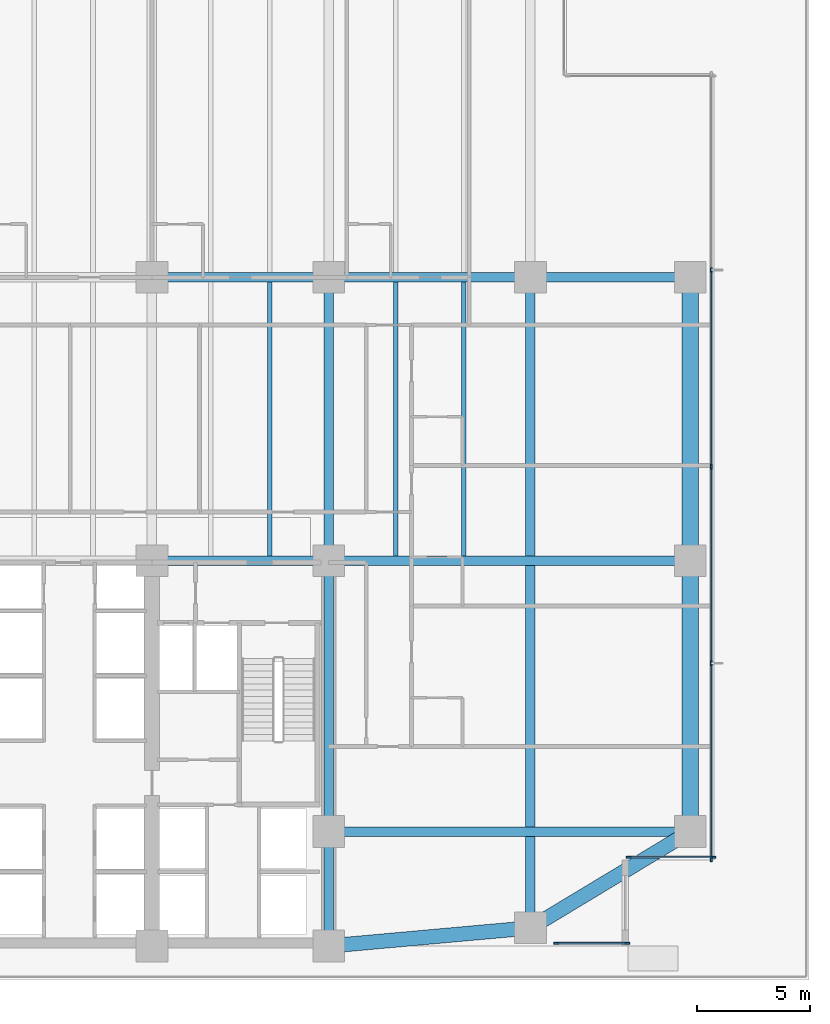
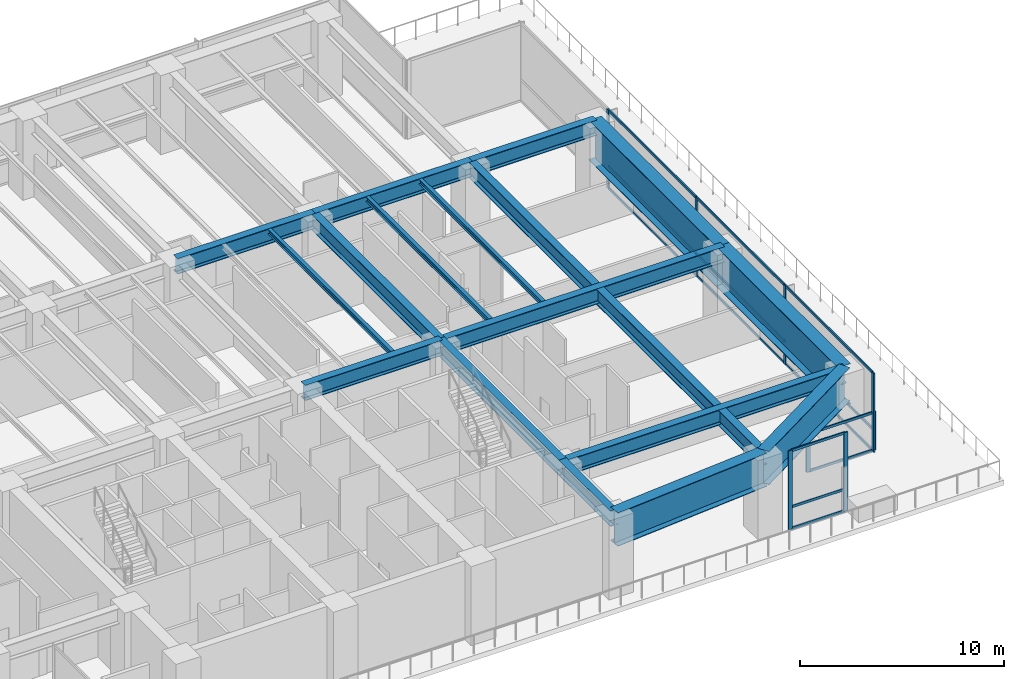
# One storey, part 3 of 19: 22 members, 17 beams, 3 elements without a shape of their own.
"""IFC4 building model written with IfcOpenShell, lengths in metres."""

from ifc_helpers import new_model, si_unit, direction, frame, origin, origin_2d, place, context, subcontext, project, spatial, rectangle, i_section, extrude, material, layer, layer_set, material_profile, profile_set, type_object, element, aggregate, save


model = new_model("IFC4")

# Units and contexts
model_context = context("Model", 3, precision=1e-05, world=origin(), true_north=direction((0.0, 1.0)))
body_context = subcontext(model_context, "Body", "Model", "MODEL_VIEW")
ifc_project = project(units=[si_unit("LENGTHUNIT", "METRE"), si_unit("AREAUNIT", "SQUARE_METRE"), si_unit("VOLUMEUNIT", "CUBIC_METRE"), si_unit("PLANEANGLEUNIT", "RADIAN"), si_unit("MASSUNIT", "GRAM", prefix="KILO")], contexts=[model_context])

# Site, building, storey
site_placement = place(None, origin())
site = spatial("IfcSite", under=ifc_project, at=site_placement, CompositionType="ELEMENT")
building_placement = place(site_placement, origin())
building = spatial("IfcBuilding", under=site, at=building_placement, Name="Qalmaran Belvedere Hotel", CompositionType="ELEMENT")
storey_placement = place(building_placement, frame((0.0, 0.0, 28.39990234375)))
storey = spatial("IfcBuildingStorey", under=building, at=storey_placement, Name="L06", CompositionType="ELEMENT", Elevation=28.39990234375)

# Beams
ifc_material_1 = material(Name="Steel S355JR", Category="steel")
ifc_material_profile_1 = material_profile(ifc_material_1, i_section(OverallWidth=0.202880859375, OverallDepth=0.302978515625, WebThickness=0.007568359375, FlangeThickness=0.01318359375, FilletRadius=0.012939453125, at=origin_2d()), Name="W310X60")
ifc_profile_set_1 = profile_set([ifc_material_profile_1], Name="Steel S355JR")
beam_type_1 = type_object("IfcBeamType", Name="BM-JST-W310X60", PredefinedType="JOIST", material=ifc_profile_set_1)
for number, where, z_axis, x_axis, name in (
    (1, (42.199951171875, 20.7080078125, 4.568603515625), (0.0, 1.0, 0.0), (-1.0, 0.0, 0.0), "L06 Deck Joist A06"),
    (2, (47.75, 20.7080078125, 4.568603515625), (0.0, 1.0, 0.0), (-1.0, 0.0, 0.0), "L06 Deck Joist A07"),
    (3, (50.75, 20.7080078125, 4.568603515625), (0.0, 1.0, 0.0), (-1.0, 0.0, 0.0), "L06 Deck Joist A08"),
):
    element("IfcBeam", number, at=place(storey_placement, frame(where, z_axis=z_axis, x_axis=x_axis)), inside=storey, type_object=beam_type_1, Name=name, PredefinedType="JOIST", context=body_context, shape_type="SweptSolid", body=[
        extrude(i_section(OverallWidth=0.202880859375, OverallDepth=0.302978515625, WebThickness=0.007568359375, FlangeThickness=0.01318359375, FilletRadius=0.012939453125, at=origin_2d()), origin(), (0.0, 0.0, 1.0), 12.083984375),
    ])
ifc_material_profile_2 = material_profile(ifc_material_1, i_section(OverallWidth=0.419921875, OverallDepth=0.9208984375, WebThickness=0.021240234375, FlangeThickness=0.03662109375, FilletRadius=0.02392578125, at=origin_2d()), Name="W920X387")
ifc_profile_set_2 = profile_set([ifc_material_profile_2], Name="Steel S355JR")
beam_type_2 = type_object("IfcBeamType", Name="BM-PG1-W920X387", PredefinedType="USERDEFINED", material=ifc_profile_set_2)
for number, where, z_axis, x_axis, name in (
    (4, (37.0, 20.5, 4.259521484375), (1.0, 0.0, 0.0), (0.0, 1.0, 0.0), "L06 Primary Tie Girder G03"),
    (5, (37.0, 33.0, 4.259521484375), (1.0, 0.0, 0.0), (0.0, 1.0, 0.0), "L06 Primary Tie Girder G06"),
):
    element("IfcBeam", number, at=place(storey_placement, frame(where, z_axis=z_axis, x_axis=x_axis)), inside=storey, type_object=beam_type_2, Name=name, ObjectType="GIRDER", PredefinedType="USERDEFINED", context=body_context, shape_type="SweptSolid", body=[
        extrude(i_section(OverallWidth=0.419921875, OverallDepth=0.9208984375, WebThickness=0.021240234375, FlangeThickness=0.03662109375, FilletRadius=0.02392578125, at=origin_2d()), origin(), (0.0, 0.0, 1.0), 7.800048828125),
    ])
beam_1_placement = place(storey_placement, frame((44.800048828125, 20.5, 4.259521484375), z_axis=(0.0, 1.0, 0.0), x_axis=(-1.0, 0.0, 0.0)))
element("IfcBeam", 6, at=beam_1_placement, inside=storey, type_object=beam_type_2, Name="L06 Primary Tie Girder G10", ObjectType="GIRDER", PredefinedType="USERDEFINED", context=body_context, shape_type="SweptSolid", body=[
    extrude(i_section(OverallWidth=0.419921875, OverallDepth=0.9208984375, WebThickness=0.021240234375, FlangeThickness=0.03662109375, FilletRadius=0.02392578125, at=origin_2d()), origin(), (0.0, 0.0, 1.0), 12.5),
])
beam_2_placement = place(storey_placement, frame((44.800048828125, 33.0, 4.259521484375), z_axis=(1.0, 0.0, 0.0), x_axis=(0.0, 1.0, 0.0)))
element("IfcBeam", 7, at=beam_2_placement, inside=storey, type_object=beam_type_2, Name="L06 Primary Tie Girder G13B", ObjectType="GIRDER", PredefinedType="USERDEFINED", context=body_context, shape_type="SweptSolid", body=[
    extrude(i_section(OverallWidth=0.419921875, OverallDepth=0.9208984375, WebThickness=0.021240234375, FlangeThickness=0.03662109375, FilletRadius=0.02392578125, at=origin_2d()), origin(), (0.0, 0.0, 1.0), 8.89990234375),
])
beam_3_placement = place(storey_placement, frame((53.699951171875, 4.300048828125, 4.259521484375), z_axis=(0.0, 1.0, 0.0), x_axis=(-1.0, 0.0, 0.0)))
element("IfcBeam", 8, at=beam_3_placement, inside=storey, type_object=beam_type_2, Name="L06 Primary Tie Girder G13C", ObjectType="GIRDER", PredefinedType="USERDEFINED", context=body_context, shape_type="SweptSolid", body=[
    extrude(i_section(OverallWidth=0.419921875, OverallDepth=0.9208984375, WebThickness=0.021240234375, FlangeThickness=0.03662109375, FilletRadius=0.02392578125, at=origin_2d()), origin(), (0.0, 0.0, 1.0), 28.699951171875),
])
beam_4_placement = place(storey_placement, frame((53.699951171875, 33.0, 4.259521484375), z_axis=(1.0, 0.0, 0.0), x_axis=(0.0, 1.0, 0.0)))
element("IfcBeam", 9, at=beam_4_placement, inside=storey, type_object=beam_type_2, Name="L06 Primary Tie Girder G13D", ObjectType="GIRDER", PredefinedType="USERDEFINED", context=body_context, shape_type="SweptSolid", body=[
    extrude(i_section(OverallWidth=0.419921875, OverallDepth=0.9208984375, WebThickness=0.021240234375, FlangeThickness=0.03662109375, FilletRadius=0.02392578125, at=origin_2d()), origin(), (0.0, 0.0, 1.0), 7.050048828125),
])
for number, where, z_axis, x_axis, name in (
    (10, (44.800048828125, 8.550048828125, 4.259521484375), (1.0, 0.0, 0.0), (0.0, 1.0, 0.0), "L06 Primary Tie Girder G16B"),
    (11, (44.800048828125, 20.5, 4.259521484375), (1.0, 0.0, 0.0), (0.0, 1.0, 0.0), "L06 Primary Tie Girder G17"),
):
    element("IfcBeam", number, at=place(storey_placement, frame(where, z_axis=z_axis, x_axis=x_axis)), inside=storey, type_object=beam_type_2, Name=name, ObjectType="GIRDER", PredefinedType="USERDEFINED", context=body_context, shape_type="SweptSolid", body=[
        extrude(i_section(OverallWidth=0.419921875, OverallDepth=0.9208984375, WebThickness=0.021240234375, FlangeThickness=0.03662109375, FilletRadius=0.02392578125, at=origin_2d()), origin(), (0.0, 0.0, 1.0), 15.949951171875),
    ])
beam_5_placement = place(storey_placement, frame((44.800048828125, 3.5, 4.259521484375), z_axis=(0.0, 1.0, 0.0), x_axis=(-1.0, 0.0, 0.0)))
element("IfcBeam", 12, at=beam_5_placement, inside=storey, type_object=beam_type_2, Name="L06 Primary Tie Girder G21", ObjectType="GIRDER", PredefinedType="USERDEFINED", context=body_context, shape_type="SweptSolid", body=[
    extrude(i_section(OverallWidth=0.419921875, OverallDepth=0.9208984375, WebThickness=0.021240234375, FlangeThickness=0.03662109375, FilletRadius=0.02392578125, at=origin_2d()), origin(), (0.0, 0.0, 1.0), 5.050048828125),
])
beam_6_placement = place(storey_placement, frame((44.800048828125, 8.550048828125, 4.259521484375), z_axis=(0.0, 1.0, 0.0), x_axis=(-1.0, 0.0, 0.0)))
element("IfcBeam", 13, at=beam_6_placement, inside=storey, type_object=beam_type_2, Name="L06 Primary Tie Girder G22", ObjectType="GIRDER", PredefinedType="USERDEFINED", context=body_context, shape_type="SweptSolid", body=[
    extrude(i_section(OverallWidth=0.419921875, OverallDepth=0.9208984375, WebThickness=0.021240234375, FlangeThickness=0.03662109375, FilletRadius=0.02392578125, at=origin_2d()), origin(), (0.0, 0.0, 1.0), 11.949951171875),
])
ifc_material_profile_3 = material_profile(ifc_material_1, i_section(OverallWidth=0.719970703125, OverallDepth=2.39990234375, WebThickness=0.030029296875, FlangeThickness=0.0380859375, at=origin_2d()), Name="PG2400X720X38")
ifc_profile_set_3 = profile_set([ifc_material_profile_3], Name="Steel S355JR")
beam_type_3 = type_object("IfcBeamType", Name="BM-TG2-PG2400X720", PredefinedType="USERDEFINED", material=ifc_profile_set_3)
beam_7_placement = place(storey_placement, frame((60.75, 8.550048828125, 3.52001953125), z_axis=(0.0, 1.0, 0.0), x_axis=(-1.0, 0.0, 0.0)))
element("IfcBeam", 14, at=beam_7_placement, inside=storey, type_object=beam_type_3, Name="L06 East Transfer Girder TG-2A", ObjectType="GIRDER", PredefinedType="USERDEFINED", context=body_context, shape_type="SweptSolid", body=[
    extrude(i_section(OverallWidth=0.719970703125, OverallDepth=2.39990234375, WebThickness=0.030029296875, FlangeThickness=0.0380859375, at=origin_2d()), origin(), (0.0, 0.0, 1.0), 11.949951171875),
])
beam_8_placement = place(storey_placement, frame((60.75, 20.5, 3.52001953125), z_axis=(0.0, 1.0, 0.0), x_axis=(-1.0, 0.0, 0.0)))
element("IfcBeam", 15, at=beam_8_placement, inside=storey, type_object=beam_type_3, Name="L06 East Transfer Girder TG-2B", ObjectType="GIRDER", PredefinedType="USERDEFINED", context=body_context, shape_type="SweptSolid", body=[
    extrude(i_section(OverallWidth=0.719970703125, OverallDepth=2.39990234375, WebThickness=0.030029296875, FlangeThickness=0.0380859375, at=origin_2d()), origin(), (0.0, 0.0, 1.0), 12.5),
])
ifc_material_profile_4 = material_profile(ifc_material_1, i_section(OverallWidth=0.639892578125, OverallDepth=2.0, WebThickness=0.02587890625, FlangeThickness=0.034912109375, at=origin_2d()), Name="PG2000X640X35")
ifc_profile_set_4 = profile_set([ifc_material_profile_4], Name="Steel S355JR")
beam_type_4 = type_object("IfcBeamType", Name="BM-TG4-PG2000X640", PredefinedType="USERDEFINED", material=ifc_profile_set_4)
beam_9_placement = place(storey_placement, frame((44.800048828125, 3.5, 3.72021484375), z_axis=(0.99598384863, 0.089533084763, 0.0), x_axis=(-0.089533084763, 0.99598384863, 0.0)))
element("IfcBeam", 16, at=beam_9_placement, inside=storey, type_object=beam_type_4, Name="L06 South-East Transfer Girder TG-4A", ObjectType="GIRDER", PredefinedType="USERDEFINED", context=body_context, shape_type="SweptSolid", body=[
    extrude(i_section(OverallWidth=0.639892578125, OverallDepth=2.0, WebThickness=0.02587890625, FlangeThickness=0.034912109375, at=origin_2d()), origin(), (0.0, 0.0, 1.0), 8.935791015625),
])
beam_10_placement = place(storey_placement, frame((53.699951171875, 4.300048828125, 3.72021484375), z_axis=(0.856420782025, 0.516278455986, 0.0), x_axis=(-0.516278455986, 0.856420782025, 0.0)))
element("IfcBeam", 17, at=beam_10_placement, inside=storey, type_object=beam_type_4, Name="L06 South-East Transfer Girder TG-4B", ObjectType="GIRDER", PredefinedType="USERDEFINED", context=body_context, shape_type="SweptSolid", body=[
    extrude(i_section(OverallWidth=0.639892578125, OverallDepth=2.0, WebThickness=0.02587890625, FlangeThickness=0.034912109375, at=origin_2d()), origin(), (0.0, 0.0, 1.0), 8.23193359375),
])

# Curtain wall, members
ifc_material_2 = material(Name="Anodised Bronze Aluminium", Category="aluminium")
ifc_layer = layer(ifc_material_2, 0.2099609375, Name="Anodised Bronze Aluminium")
ifc_layer_set = layer_set([ifc_layer], Name="Anodised Bronze Aluminium")
curtain_wall_type = type_object("IfcCurtainWallType", Name="CW2-TOWER-LOWER", PredefinedType="NOTDEFINED", material=ifc_layer_set)
curtain_wall_1_placement = place(storey_placement, origin())
curtain_wall_1 = element("IfcCurtainWall", 18, at=curtain_wall_1_placement, inside=storey, type_object=curtain_wall_type, Name="L06 Curtain Wall CW2", PredefinedType="NOTDEFINED")
ifc_material_profile_5 = material_profile(ifc_material_2, rectangle(XDim=0.074951171875, YDim=0.219970703125, at=origin_2d()), Name="CWM75X220")
ifc_profile_set_5 = profile_set([ifc_material_profile_5], Name="Anodised Bronze Aluminium")
member_type_1 = type_object("IfcMemberType", Name="CWM-75X220", PredefinedType="MULLION", material=ifc_profile_set_5)
member_1_placement = place(storey_placement, frame((54.83740234375, 3.6201171875, 0.0), z_axis=(0.0, 0.0, 1.0), x_axis=(0.0, 1.0, 0.0)))
member_1 = element("IfcMember", 19, at=member_1_placement, type_object=member_type_1, Name="CW2 mullion 1", PredefinedType="MULLION", context=body_context, shape_type="SweptSolid", body=[
    extrude(rectangle(XDim=0.074951171875, YDim=0.219970703125, at=origin_2d()), origin(), (0.0, 0.0, 1.0), 4.72021484375),
])
member_2_placement = place(storey_placement, frame((57.96240234375, 3.6201171875, 0.0), z_axis=(0.0, 0.0, 1.0), x_axis=(0.0, 1.0, 0.0)))
member_2 = element("IfcMember", 20, at=member_2_placement, type_object=member_type_1, Name="CW2 mullion 2", PredefinedType="MULLION", context=body_context, shape_type="SweptSolid", body=[
    extrude(rectangle(XDim=0.074951171875, YDim=0.219970703125, at=origin_2d()), origin(), (0.0, 0.0, 1.0), 4.72021484375),
])

curtain_wall_2_placement = place(storey_placement, origin())
curtain_wall_2 = element("IfcCurtainWall", 21, at=curtain_wall_2_placement, inside=storey, type_object=curtain_wall_type, Name="L06 Curtain Wall CW2", PredefinedType="NOTDEFINED")
member_3_placement = place(storey_placement, frame((58.03759765625, 7.419921875, 0.0), z_axis=(0.0, 0.0, 1.0), x_axis=(0.0, 1.0, 0.0)))
member_3 = element("IfcMember", 22, at=member_3_placement, type_object=member_type_1, Name="CW2 mullion 1", PredefinedType="MULLION", context=body_context, shape_type="SweptSolid", body=[
    extrude(rectangle(XDim=0.074951171875, YDim=0.219970703125, at=origin_2d()), origin(), (0.0, 0.0, 1.0), 2.30517578125),
])
member_4_placement = place(storey_placement, frame((61.762451171875, 7.419921875, 0.0), z_axis=(0.0, 0.0, 1.0), x_axis=(0.0, 1.0, 0.0)))
member_4 = element("IfcMember", 23, at=member_4_placement, type_object=member_type_1, Name="CW2 mullion 2", PredefinedType="MULLION", context=body_context, shape_type="SweptSolid", body=[
    extrude(rectangle(XDim=0.074951171875, YDim=0.219970703125, at=origin_2d()), origin(), (0.0, 0.0, 1.0), 2.30517578125),
])

curtain_wall_3_placement = place(storey_placement, origin())
curtain_wall_3 = element("IfcCurtainWall", 24, at=curtain_wall_3_placement, inside=storey, type_object=curtain_wall_type, Name="L06 Curtain Wall CW2", PredefinedType="NOTDEFINED")
member_5_placement = place(storey_placement, frame((61.679931640625, 7.33740234375, 0.0), z_axis=(0.0, 0.0, 1.0), x_axis=(-1.0, 0.0, 0.0)))
member_5 = element("IfcMember", 25, at=member_5_placement, type_object=member_type_1, Name="CW2 mullion 1", PredefinedType="MULLION", context=body_context, shape_type="SweptSolid", body=[
    extrude(rectangle(XDim=0.074951171875, YDim=0.219970703125, at=origin_2d()), origin(), (0.0, 0.0, 1.0), 4.72021484375),
])
member_6_placement = place(storey_placement, frame((61.679931640625, 15.97509765625, 0.0), z_axis=(0.0, 0.0, 1.0), x_axis=(-1.0, 0.0, 0.0)))
member_6 = element("IfcMember", 26, at=member_6_placement, type_object=member_type_1, Name="CW2 mullion 2", PredefinedType="MULLION", context=body_context, shape_type="SweptSolid", body=[
    extrude(rectangle(XDim=0.074951171875, YDim=0.219970703125, at=origin_2d()), origin(), (0.0, 0.0, 1.0), 4.72021484375),
])
member_7_placement = place(storey_placement, frame((61.679931640625, 24.64990234375, 0.0), z_axis=(0.0, 0.0, 1.0), x_axis=(-1.0, 0.0, 0.0)))
member_7 = element("IfcMember", 27, at=member_7_placement, type_object=member_type_1, Name="CW2 mullion 3", PredefinedType="MULLION", context=body_context, shape_type="SweptSolid", body=[
    extrude(rectangle(XDim=0.074951171875, YDim=0.219970703125, at=origin_2d()), origin(), (0.0, 0.0, 1.0), 4.72021484375),
])
member_8_placement = place(storey_placement, frame((61.679931640625, 33.324951171875, 0.0), z_axis=(0.0, 0.0, 1.0), x_axis=(-1.0, 0.0, 0.0)))
member_8 = element("IfcMember", 28, at=member_8_placement, type_object=member_type_1, Name="CW2 mullion 4", PredefinedType="MULLION", context=body_context, shape_type="SweptSolid", body=[
    extrude(rectangle(XDim=0.074951171875, YDim=0.219970703125, at=origin_2d()), origin(), (0.0, 0.0, 1.0), 4.72021484375),
])

# Member
ifc_material_profile_6 = material_profile(ifc_material_2, rectangle(XDim=0.070068359375, YDim=0.14990234375, at=origin_2d()), Name="CWT70X150")
ifc_profile_set_6 = profile_set([ifc_material_profile_6], Name="Anodised Bronze Aluminium")
member_type_2 = type_object("IfcMemberType", Name="CWT-70X150", PredefinedType="USERDEFINED", material=ifc_profile_set_6)
member_9_placement = place(storey_placement, frame((54.875, 3.6201171875, 0.03515625), z_axis=(1.0, 0.0, 0.0), x_axis=(0.0, 1.0, 0.0)))
member_9 = element("IfcMember", 29, at=member_9_placement, type_object=member_type_2, Name="CW2 transom 1.1", ObjectType="TRANSOM", PredefinedType="USERDEFINED", context=body_context, shape_type="SweptSolid", body=[
    extrude(rectangle(XDim=0.070068359375, YDim=0.14990234375, at=origin_2d()), origin(), (0.0, 0.0, 1.0), 3.050048828125),
])

member_10_placement = place(storey_placement, frame((54.875, 3.6201171875, 1.32177734375), z_axis=(1.0, 0.0, 0.0), x_axis=(0.0, 1.0, 0.0)))
member_10 = element("IfcMember", 30, at=member_10_placement, type_object=member_type_2, Name="CW2 transom 1.2", ObjectType="TRANSOM", PredefinedType="USERDEFINED", context=body_context, shape_type="SweptSolid", body=[
    extrude(rectangle(XDim=0.070068359375, YDim=0.14990234375, at=origin_2d()), origin(), (0.0, 0.0, 1.0), 3.050048828125),
])

member_11_placement = place(storey_placement, frame((54.875, 3.6201171875, 4.68505859375), z_axis=(1.0, 0.0, 0.0), x_axis=(0.0, 1.0, 0.0)))
member_11 = element("IfcMember", 31, at=member_11_placement, type_object=member_type_2, Name="CW2 transom 1.3", ObjectType="TRANSOM", PredefinedType="USERDEFINED", context=body_context, shape_type="SweptSolid", body=[
    extrude(rectangle(XDim=0.070068359375, YDim=0.14990234375, at=origin_2d()), origin(), (0.0, 0.0, 1.0), 3.050048828125),
])

aggregate(curtain_wall_1, [member_1, member_2, member_9, member_10, member_11])

member_12_placement = place(storey_placement, frame((58.074951171875, 7.419921875, 0.03515625), z_axis=(1.0, 0.0, 0.0), x_axis=(0.0, 1.0, 0.0)))
member_12 = element("IfcMember", 32, at=member_12_placement, type_object=member_type_2, Name="CW2 transom 1.1", ObjectType="TRANSOM", PredefinedType="USERDEFINED", context=body_context, shape_type="SweptSolid", body=[
    extrude(rectangle(XDim=0.070068359375, YDim=0.14990234375, at=origin_2d()), origin(), (0.0, 0.0, 1.0), 3.650146484375),
])

member_13_placement = place(storey_placement, frame((58.074951171875, 7.419921875, 2.27001953125), z_axis=(1.0, 0.0, 0.0), x_axis=(0.0, 1.0, 0.0)))
member_13 = element("IfcMember", 33, at=member_13_placement, type_object=member_type_2, Name="CW2 transom 1.2", ObjectType="TRANSOM", PredefinedType="USERDEFINED", context=body_context, shape_type="SweptSolid", body=[
    extrude(rectangle(XDim=0.070068359375, YDim=0.14990234375, at=origin_2d()), origin(), (0.0, 0.0, 1.0), 3.650146484375),
])

aggregate(curtain_wall_2, [member_3, member_4, member_12, member_13])

member_14_placement = place(storey_placement, frame((61.679931640625, 7.375, 0.03515625), z_axis=(0.0, 1.0, 0.0), x_axis=(-1.0, 0.0, 0.0)))
member_14 = element("IfcMember", 34, at=member_14_placement, type_object=member_type_2, Name="CW2 transom 1.1", ObjectType="TRANSOM", PredefinedType="USERDEFINED", context=body_context, shape_type="SweptSolid", body=[
    extrude(rectangle(XDim=0.070068359375, YDim=0.14990234375, at=origin_2d()), origin(), (0.0, 0.0, 1.0), 8.5625),
])

member_15_placement = place(storey_placement, frame((61.679931640625, 7.375, 1.32177734375), z_axis=(0.0, 1.0, 0.0), x_axis=(-1.0, 0.0, 0.0)))
member_15 = element("IfcMember", 35, at=member_15_placement, type_object=member_type_2, Name="CW2 transom 1.2", ObjectType="TRANSOM", PredefinedType="USERDEFINED", context=body_context, shape_type="SweptSolid", body=[
    extrude(rectangle(XDim=0.070068359375, YDim=0.14990234375, at=origin_2d()), origin(), (0.0, 0.0, 1.0), 8.5625),
])

member_16_placement = place(storey_placement, frame((61.679931640625, 7.375, 4.68505859375), z_axis=(0.0, 1.0, 0.0), x_axis=(-1.0, 0.0, 0.0)))
member_16 = element("IfcMember", 36, at=member_16_placement, type_object=member_type_2, Name="CW2 transom 1.3", ObjectType="TRANSOM", PredefinedType="USERDEFINED", context=body_context, shape_type="SweptSolid", body=[
    extrude(rectangle(XDim=0.070068359375, YDim=0.14990234375, at=origin_2d()), origin(), (0.0, 0.0, 1.0), 8.5625),
])

member_17_placement = place(storey_placement, frame((61.679931640625, 16.012451171875, 0.03515625), z_axis=(0.0, 1.0, 0.0), x_axis=(-1.0, 0.0, 0.0)))
member_17 = element("IfcMember", 37, at=member_17_placement, type_object=member_type_2, Name="CW2 transom 2.1", ObjectType="TRANSOM", PredefinedType="USERDEFINED", context=body_context, shape_type="SweptSolid", body=[
    extrude(rectangle(XDim=0.070068359375, YDim=0.14990234375, at=origin_2d()), origin(), (0.0, 0.0, 1.0), 8.60009765625),
])

member_18_placement = place(storey_placement, frame((61.679931640625, 16.012451171875, 1.32177734375), z_axis=(0.0, 1.0, 0.0), x_axis=(-1.0, 0.0, 0.0)))
member_18 = element("IfcMember", 38, at=member_18_placement, type_object=member_type_2, Name="CW2 transom 2.2", ObjectType="TRANSOM", PredefinedType="USERDEFINED", context=body_context, shape_type="SweptSolid", body=[
    extrude(rectangle(XDim=0.070068359375, YDim=0.14990234375, at=origin_2d()), origin(), (0.0, 0.0, 1.0), 8.60009765625),
])

member_19_placement = place(storey_placement, frame((61.679931640625, 16.012451171875, 4.68505859375), z_axis=(0.0, 1.0, 0.0), x_axis=(-1.0, 0.0, 0.0)))
member_19 = element("IfcMember", 39, at=member_19_placement, type_object=member_type_2, Name="CW2 transom 2.3", ObjectType="TRANSOM", PredefinedType="USERDEFINED", context=body_context, shape_type="SweptSolid", body=[
    extrude(rectangle(XDim=0.070068359375, YDim=0.14990234375, at=origin_2d()), origin(), (0.0, 0.0, 1.0), 8.60009765625),
])

member_20_placement = place(storey_placement, frame((61.679931640625, 24.6875, 0.03515625), z_axis=(0.0, 1.0, 0.0), x_axis=(-1.0, 0.0, 0.0)))
member_20 = element("IfcMember", 40, at=member_20_placement, type_object=member_type_2, Name="CW2 transom 3.1", ObjectType="TRANSOM", PredefinedType="USERDEFINED", context=body_context, shape_type="SweptSolid", body=[
    extrude(rectangle(XDim=0.070068359375, YDim=0.14990234375, at=origin_2d()), origin(), (0.0, 0.0, 1.0), 8.60009765625),
])

member_21_placement = place(storey_placement, frame((61.679931640625, 24.6875, 1.32177734375), z_axis=(0.0, 1.0, 0.0), x_axis=(-1.0, 0.0, 0.0)))
member_21 = element("IfcMember", 41, at=member_21_placement, type_object=member_type_2, Name="CW2 transom 3.2", ObjectType="TRANSOM", PredefinedType="USERDEFINED", context=body_context, shape_type="SweptSolid", body=[
    extrude(rectangle(XDim=0.070068359375, YDim=0.14990234375, at=origin_2d()), origin(), (0.0, 0.0, 1.0), 8.60009765625),
])

member_22_placement = place(storey_placement, frame((61.679931640625, 24.6875, 4.68505859375), z_axis=(0.0, 1.0, 0.0), x_axis=(-1.0, 0.0, 0.0)))
member_22 = element("IfcMember", 42, at=member_22_placement, type_object=member_type_2, Name="CW2 transom 3.3", ObjectType="TRANSOM", PredefinedType="USERDEFINED", context=body_context, shape_type="SweptSolid", body=[
    extrude(rectangle(XDim=0.070068359375, YDim=0.14990234375, at=origin_2d()), origin(), (0.0, 0.0, 1.0), 8.60009765625),
])

aggregate(curtain_wall_3, [member_5, member_6, member_7, member_8, member_14, member_15, member_16, member_17, member_18, member_19, member_20, member_21, member_22])

save(model, "model.ifc")
